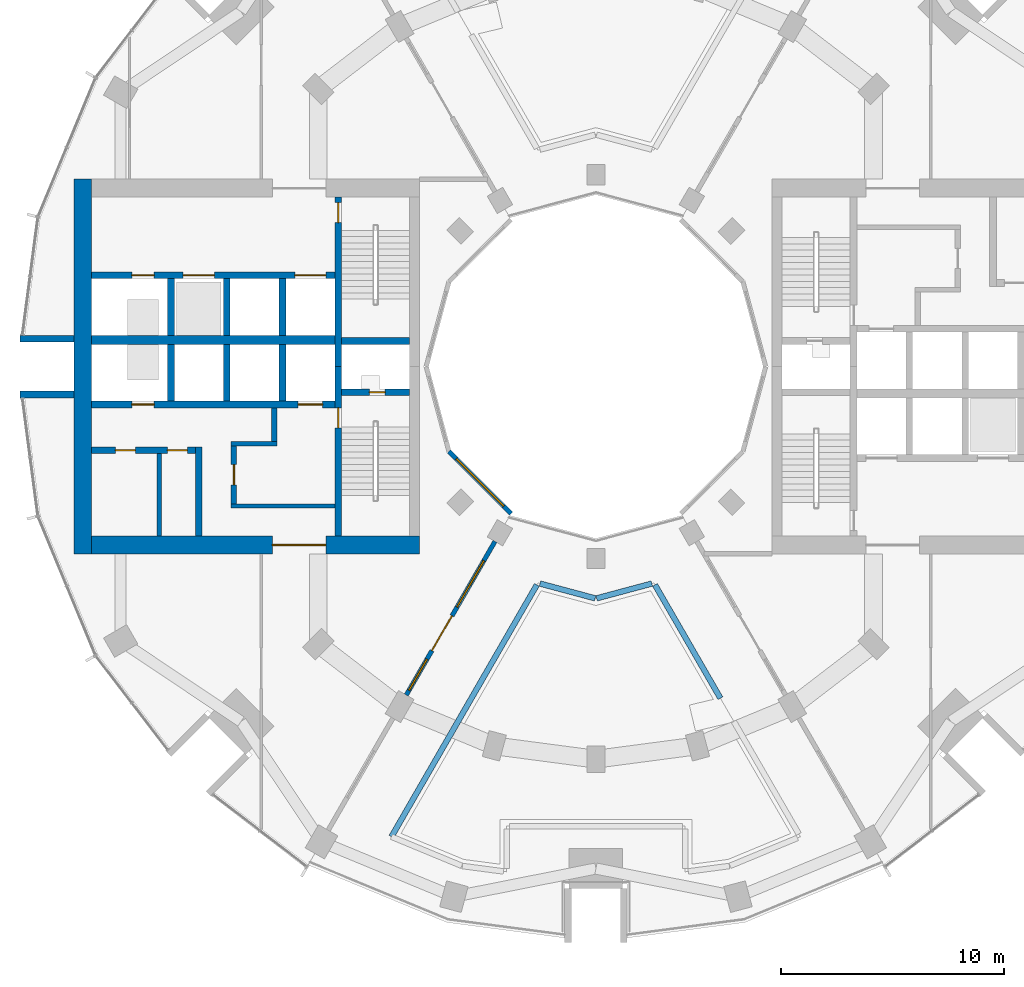
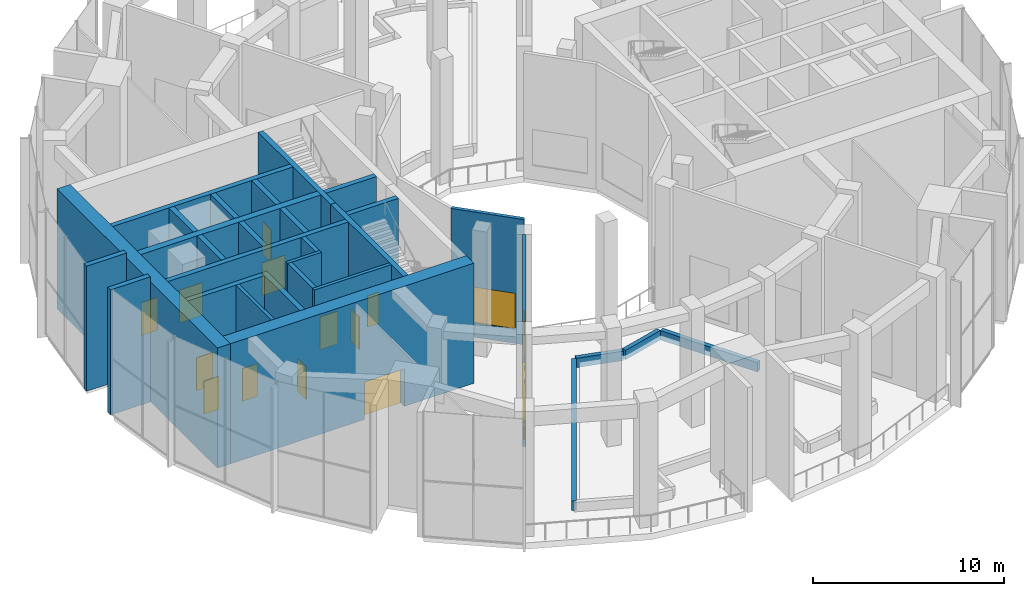
# One storey, part 11 of 18: 30 walls, 13 doors, 3 windows, 16 openings.
"""IFC4 building model written with IfcOpenShell, lengths in metres."""

from ifc_helpers import new_model, si_unit, direction, frame, frame_2d, origin, place, context, subcontext, project, spatial, rectangle, extrude, material, layer, layer_set, type_object, element, fill, save


model = new_model("IFC4")

# Units and contexts
model_context = context("Model", 3, precision=1e-05, world=origin(), true_north=direction((0.0, 1.0)))
body_context = subcontext(model_context, "Body", "Model", "MODEL_VIEW")
ifc_project = project(units=[si_unit("LENGTHUNIT", "METRE"), si_unit("AREAUNIT", "SQUARE_METRE"), si_unit("VOLUMEUNIT", "CUBIC_METRE"), si_unit("PLANEANGLEUNIT", "RADIAN"), si_unit("MASSUNIT", "GRAM", prefix="KILO")], contexts=[model_context])

# Site, building, storey
site_placement = place(None, origin())
site = spatial("IfcSite", under=ifc_project, at=site_placement, CompositionType="ELEMENT")
building_placement = place(site_placement, origin())
building = spatial("IfcBuilding", under=site, at=building_placement, Name="Torre Brocal", CompositionType="ELEMENT")
storey_placement = place(building_placement, frame((0.0, 0.0, 74.39990234375)))
storey = spatial("IfcBuildingStorey", under=building, at=storey_placement, Name="L17", CompositionType="ELEMENT", Elevation=74.39990234375)

# Walls
ifc_material_1 = material(Name="Masonry block", Category="masonry")
ifc_layer_1 = layer(ifc_material_1, 0.199951171875)
ifc_layer_set_1 = layer_set([ifc_layer_1], Name="Masonry block")
wall_type_1 = type_object("IfcWallType", Name="CORE PARTITION 200", PredefinedType="PARTITIONING", material=ifc_layer_set_1)
wall_1_placement = place(storey_placement, frame((60.422607421875, 71.10009765625, 0.0), z_axis=(0.0, 0.0, 1.0), x_axis=(0.0, -1.0, 0.0)))
element("IfcWall", 1, at=wall_1_placement, inside=storey, type_object=wall_type_1, Name="Wall CP200", PredefinedType="PARTITIONING", context=body_context, shape_type="SweptSolid", body=[
    extrude(rectangle(XDim=3.7001953125, YDim=0.199951171875, at=frame_2d((1.85009765625, 0.0))), origin(), (0.0, 0.0, 1.0), 7.68017578125),
])
ifc_material_2 = material(Name="Concrete C80", Category="concrete")
ifc_layer_2 = layer(ifc_material_2, 0.199951171875)
ifc_layer_set_2 = layer_set([ifc_layer_2], Name="Concrete C80")
wall_type_2 = type_object("IfcWallType", Name="CORE WALL 200 C80", PredefinedType="SHEAR", material=ifc_layer_set_2)
wall_2_placement = place(storey_placement, frame((68.300048828125, 68.75, 0.0), z_axis=(0.0, 0.0, 1.0), x_axis=(-1.0, 0.0, 0.0)))
element("IfcWall", 2, at=wall_2_placement, inside=storey, type_object=wall_type_2, Name="Wall CW200-80", PredefinedType="SHEAR", context=body_context, shape_type="SweptSolid", body=[
    extrude(rectangle(XDim=4.650146484375, YDim=0.199951171875, at=frame_2d((2.3251953125, 0.0))), origin(), (0.0, 0.0, 1.0), 7.68017578125),
])
wall_3_placement = place(storey_placement, frame((65.699951171875, 71.550048828125, 0.0), z_axis=(0.0, 0.0, 1.0), x_axis=(-1.0, 0.0, 0.0)))
element("IfcWall", 3, at=wall_3_placement, inside=storey, type_object=wall_type_2, Name="Wall CW200-80", PredefinedType="SHEAR", context=body_context, shape_type="SweptSolid", body=[
    extrude(rectangle(XDim=2.050048828125, YDim=0.199951171875, at=frame_2d((1.02490234375, 0.0))), origin(), (0.0, 0.0, 1.0), 7.68017578125),
])

# Wall, opening, door
ifc_material_3 = material(Name="Concrete C80", Category="concrete")
ifc_layer_3 = layer(ifc_material_3, 0.25)
ifc_layer_set_3 = layer_set([ifc_layer_3], Name="Concrete C80")
wall_type_3 = type_object("IfcWallType", Name="CORE WALL 250 C80", PredefinedType="SHEAR", material=ifc_layer_set_3)
wall_4_placement = place(storey_placement, frame((63.77490234375, 71.449951171875, 0.0), z_axis=(0.0, 0.0, 1.0), x_axis=(0.0, -1.0, 0.0)))
wall_4 = element("IfcWall", 4, at=wall_4_placement, inside=storey, type_object=wall_type_3, Name="Wall CW250-80", PredefinedType="SHEAR", context=body_context, shape_type="SweptSolid", body=[
    extrude(rectangle(XDim=2.599853515625, YDim=0.25, at=frame_2d((1.2998046875, 0.0))), origin(), (0.0, 0.0, 1.0), 7.68017578125),
])
opening_1_placement = place(wall_4_placement, frame((0.85009765625, 0.0, 0.0)))
opening_1 = element("IfcOpeningElement", 5, at=opening_1_placement, cuts=wall_4, Name="Opening W-D15", PredefinedType="OPENING", context=body_context, shape_type="SweptSolid", body=[
    extrude(rectangle(XDim=0.89990234375, YDim=2.10009765625, at=frame_2d((0.449951171875, 1.050048828125))), frame((0.0, 0.135009765625, 0.0), z_axis=(0.0, -1.0, 0.0), x_axis=(1.0, 0.0, 0.0)), (0.0, 0.0, 1.0), 0.27001953125),
])
ifc_material_4 = material(Name="Steel A653", Category="steel")
door_type_1 = type_object("IfcDoorType", Name="LOBBY DOOR FD120 900X2100", OperationType="SINGLE_SWING_RIGHT", PredefinedType="DOOR", material=ifc_material_4)
door_1_placement = place(opening_1_placement, origin())
door_1 = element("IfcDoor", 6, at=door_1_placement, inside=storey, type_object=door_type_1, Name="Door W-D15", OperationType="SINGLE_SWING_LEFT", OverallHeight=2.10009765625, OverallWidth=0.89990234375, PredefinedType="DOOR", context=body_context, shape_type="SweptSolid", body=[
    extrude(rectangle(XDim=0.89990234375, YDim=2.10009765625, at=frame_2d((0.449951171875, 1.050048828125))), frame((0.0, 0.02490234375, 0.0), z_axis=(0.0, -1.0, 0.0), x_axis=(1.0, 0.0, 0.0)), (0.0, 0.0, 1.0), 0.050048828125),
])
fill(opening_1, door_1)

# Wall
wall_5_placement = place(storey_placement, frame((65.574951171875, 73.14990234375, 0.0), z_axis=(0.0, 0.0, 1.0), x_axis=(0.0, -1.0, 0.0)))
element("IfcWall", 7, at=wall_5_placement, inside=storey, type_object=wall_type_3, Name="Wall CW250-80", PredefinedType="SHEAR", context=body_context, shape_type="SweptSolid", body=[
    extrude(rectangle(XDim=1.5, YDim=0.25, at=frame_2d((0.75, 0.0))), origin(), (0.0, 0.0, 1.0), 7.68017578125),
])

# Wall, opening, door
ifc_material_5 = material(Name="Concrete C80", Category="concrete")
ifc_layer_4 = layer(ifc_material_5, 0.300048828125)
ifc_layer_set_4 = layer_set([ifc_layer_4], Name="Concrete C80")
wall_type_4 = type_object("IfcWallType", Name="CORE WALL 300 C80", PredefinedType="SHEAR", material=ifc_layer_set_4)
wall_6_placement = place(storey_placement, frame((68.449951171875, 75.0, 0.0), z_axis=(0.0, 0.0, 1.0), x_axis=(0.0, -1.0, 0.0)))
wall_6 = element("IfcWall", 8, at=wall_6_placement, inside=storey, type_object=wall_type_4, Name="Wall CW300-80", PredefinedType="SHEAR", context=body_context, shape_type="SweptSolid", body=[
    extrude(rectangle(XDim=7.60009765625, YDim=0.300048828125, at=frame_2d((3.800048828125, 0.0))), origin(), (0.0, 0.0, 1.0), 7.68017578125),
])
opening_2_placement = place(wall_6_placement, frame((1.85009765625, 0.0, 0.0)))
opening_2 = element("IfcOpeningElement", 9, at=opening_2_placement, cuts=wall_6, Name="Opening W-D02", PredefinedType="OPENING", context=body_context, shape_type="SweptSolid", body=[
    extrude(rectangle(XDim=0.89990234375, YDim=2.10009765625, at=frame_2d((0.449951171875, 1.050048828125))), frame((0.0, 0.159912109375, 0.0), z_axis=(0.0, -1.0, 0.0), x_axis=(1.0, 0.0, 0.0)), (0.0, 0.0, 1.0), 0.320068359375),
])
ifc_material_6 = material(Name="Steel A653", Category="steel")
door_type_2 = type_object("IfcDoorType", Name="STAIR DOOR FD120 900X2100", OperationType="SINGLE_SWING_RIGHT", PredefinedType="DOOR", material=ifc_material_6)
door_2_placement = place(opening_2_placement, origin())
door_2 = element("IfcDoor", 10, at=door_2_placement, inside=storey, type_object=door_type_2, Name="Door W-D02", OperationType="SINGLE_SWING_LEFT", OverallHeight=2.10009765625, OverallWidth=0.89990234375, PredefinedType="DOOR", context=body_context, shape_type="SweptSolid", body=[
    extrude(rectangle(XDim=0.89990234375, YDim=2.10009765625, at=frame_2d((0.449951171875, 1.050048828125))), frame((0.0, 0.02490234375, 0.0), z_axis=(0.0, -1.0, 0.0), x_axis=(1.0, 0.0, 0.0)), (0.0, 0.0, 1.0), 0.050048828125),
])
fill(opening_2, door_2)

wall_7_placement = place(storey_placement, frame((68.449951171875, 82.60009765625, 0.0), z_axis=(0.0, 0.0, 1.0), x_axis=(0.0, -1.0, 0.0)))
wall_7 = element("IfcWall", 11, at=wall_7_placement, inside=storey, type_object=wall_type_4, Name="Wall CW300-80", PredefinedType="SHEAR", context=body_context, shape_type="SweptSolid", body=[
    extrude(rectangle(XDim=7.60009765625, YDim=0.300048828125, at=frame_2d((3.800048828125, 0.0))), origin(), (0.0, 0.0, 1.0), 7.68017578125),
])
opening_3_placement = place(wall_7_placement, frame((0.25, 0.0, 0.0)))
opening_3 = element("IfcOpeningElement", 12, at=opening_3_placement, cuts=wall_7, Name="Opening W-D03", PredefinedType="OPENING", context=body_context, shape_type="SweptSolid", body=[
    extrude(rectangle(XDim=0.89990234375, YDim=2.10009765625, at=frame_2d((0.449951171875, 1.050048828125))), frame((0.0, 0.159912109375, 0.0), z_axis=(0.0, -1.0, 0.0), x_axis=(1.0, 0.0, 0.0)), (0.0, 0.0, 1.0), 0.320068359375),
])
door_3_placement = place(opening_3_placement, origin())
door_3 = element("IfcDoor", 13, at=door_3_placement, inside=storey, type_object=door_type_2, Name="Door W-D03", OperationType="SINGLE_SWING_LEFT", OverallHeight=2.10009765625, OverallWidth=0.89990234375, PredefinedType="DOOR", context=body_context, shape_type="SweptSolid", body=[
    extrude(rectangle(XDim=0.89990234375, YDim=2.10009765625, at=frame_2d((0.449951171875, 1.050048828125))), frame((0.0, 0.02490234375, 0.0), z_axis=(0.0, -1.0, 0.0), x_axis=(1.0, 0.0, 0.0)), (0.0, 0.0, 1.0), 0.050048828125),
])
fill(opening_3, door_3)

wall_8_placement = place(storey_placement, frame((71.64990234375, 73.85009765625, 0.0), z_axis=(0.0, 0.0, 1.0), x_axis=(-1.0, 0.0, 0.0)))
wall_8 = element("IfcWall", 14, at=wall_8_placement, inside=storey, type_object=wall_type_4, Name="Wall CW300-80", PredefinedType="SHEAR", context=body_context, shape_type="SweptSolid", body=[
    extrude(rectangle(XDim=3.0498046875, YDim=0.300048828125, at=frame_2d((1.52490234375, 0.0))), origin(), (0.0, 0.0, 1.0), 7.68017578125),
])
opening_4_placement = place(wall_8_placement, frame((1.10009765625, 0.0, 0.0)))
opening_4 = element("IfcOpeningElement", 15, at=opening_4_placement, cuts=wall_8, Name="Opening W-D01", PredefinedType="OPENING", context=body_context, shape_type="SweptSolid", body=[
    extrude(rectangle(XDim=0.699951171875, YDim=2.0, at=frame_2d((0.35009765625, 1.0))), frame((0.0, 0.159912109375, 0.0), z_axis=(0.0, -1.0, 0.0), x_axis=(1.0, 0.0, 0.0)), (0.0, 0.0, 1.0), 0.320068359375),
])
ifc_material_7 = material(Name="Steel A653", Category="steel")
door_type_3 = type_object("IfcDoorType", Name="RISER DOOR FD120 700X2000", OperationType="SINGLE_SWING_LEFT", PredefinedType="DOOR", material=ifc_material_7)
door_4_placement = place(opening_4_placement, frame((0.699951171875, 0.0, 0.0), z_axis=(0.0, 0.0, 1.0), x_axis=(-1.0, 0.0, 0.0)))
door_4 = element("IfcDoor", 16, at=door_4_placement, inside=storey, type_object=door_type_3, Name="Door W-D01", OperationType="SINGLE_SWING_RIGHT", OverallHeight=2.0, OverallWidth=0.699951171875, PredefinedType="DOOR", context=body_context, shape_type="SweptSolid", body=[
    extrude(rectangle(XDim=0.699951171875, YDim=2.0, at=frame_2d((0.35009765625, 1.0))), frame((0.0, 0.02490234375, 0.0), z_axis=(0.0, -1.0, 0.0), x_axis=(1.0, 0.0, 0.0)), (0.0, 0.0, 1.0), 0.050048828125),
])
fill(opening_4, door_4)

# Wall
wall_9_placement = place(storey_placement, frame((71.64990234375, 76.14990234375, 0.0), z_axis=(0.0, 0.0, 1.0), x_axis=(-1.0, 0.0, 0.0)))
element("IfcWall", 17, at=wall_9_placement, inside=storey, type_object=wall_type_4, Name="Wall CW300-80", PredefinedType="SHEAR", context=body_context, shape_type="SweptSolid", body=[
    extrude(rectangle(XDim=3.0498046875, YDim=0.300048828125, at=frame_2d((1.52490234375, 0.0))), origin(), (0.0, 0.0, 1.0), 7.68017578125),
])

# Wall, openings, doors
wall_10_placement = place(storey_placement, frame((68.300048828125, 73.300048828125, 0.0), z_axis=(0.0, 0.0, 1.0), x_axis=(-1.0, 0.0, 0.0)))
wall_10 = element("IfcWall", 18, at=wall_10_placement, inside=storey, type_object=wall_type_4, Name="Wall CW300-80", PredefinedType="SHEAR", context=body_context, shape_type="SweptSolid", body=[
    extrude(rectangle(XDim=10.900146484375, YDim=0.300048828125, at=frame_2d((5.4501953125, 0.0))), origin(), (0.0, 0.0, 1.0), 7.68017578125),
])
opening_5_placement = place(wall_10_placement, frame((0.550048828125, 0.0, 0.0)))
opening_5 = element("IfcOpeningElement", 19, at=opening_5_placement, cuts=wall_10, Name="Opening LD", PredefinedType="OPENING", context=body_context, shape_type="SweptSolid", body=[
    extrude(rectangle(XDim=1.10009765625, YDim=2.10009765625, at=frame_2d((0.550048828125, 1.050048828125))), frame((0.0, 0.159912109375, 0.0), z_axis=(0.0, -1.0, 0.0), x_axis=(1.0, 0.0, 0.0)), (0.0, 0.0, 1.0), 0.320068359375),
])
opening_6_placement = place(wall_10_placement, frame((8.10009765625, 0.0, 0.0)))
opening_6 = element("IfcOpeningElement", 20, at=opening_6_placement, cuts=wall_10, Name="Opening LD10", PredefinedType="OPENING", context=body_context, shape_type="SweptSolid", body=[
    extrude(rectangle(XDim=1.0, YDim=2.10009765625, at=frame_2d((0.5, 1.050048828125))), frame((0.0, 0.159912109375, 0.0), z_axis=(0.0, -1.0, 0.0), x_axis=(1.0, 0.0, 0.0)), (0.0, 0.0, 1.0), 0.320068359375),
])
ifc_material_8 = material(Name="Stainless steel AISI 316", Category="steel")
door_type_4 = type_object("IfcDoorType", Name="LIFT LANDING DOOR 1000X2100", OperationType="DOUBLE_DOOR_SLIDING", PredefinedType="DOOR", material=ifc_material_8)
door_5_placement = place(opening_6_placement, origin())
door_5 = element("IfcDoor", 21, at=door_5_placement, inside=storey, type_object=door_type_4, Name="Door LD10", OperationType="DOUBLE_DOOR_SLIDING", OverallHeight=2.10009765625, OverallWidth=1.0, PredefinedType="DOOR", context=body_context, shape_type="SweptSolid", body=[
    extrude(rectangle(XDim=1.0, YDim=2.10009765625, at=frame_2d((0.5, 1.050048828125))), frame((0.0, 0.02490234375, 0.0), z_axis=(0.0, -1.0, 0.0), x_axis=(1.0, 0.0, 0.0)), (0.0, 0.0, 1.0), 0.050048828125),
])
fill(opening_6, door_5)
ifc_material_9 = material(Name="Stainless steel AISI 316", Category="steel")
door_type_5 = type_object("IfcDoorType", Name="LIFT LANDING DOOR 1100X2100", OperationType="DOUBLE_DOOR_SLIDING", PredefinedType="DOOR", material=ifc_material_9)
door_6_placement = place(opening_5_placement, origin())
door_6 = element("IfcDoor", 22, at=door_6_placement, inside=storey, type_object=door_type_5, Name="Door LD", OperationType="DOUBLE_DOOR_SLIDING", OverallHeight=2.10009765625, OverallWidth=1.10009765625, PredefinedType="DOOR", context=body_context, shape_type="SweptSolid", body=[
    extrude(rectangle(XDim=1.10009765625, YDim=2.10009765625, at=frame_2d((0.550048828125, 1.050048828125))), frame((0.0, 0.02490234375, 0.0), z_axis=(0.0, -1.0, 0.0), x_axis=(1.0, 0.0, 0.0)), (0.0, 0.0, 1.0), 0.050048828125),
])
fill(opening_5, door_6)

wall_11_placement = place(storey_placement, frame((68.300048828125, 79.10009765625, 0.0), z_axis=(0.0, 0.0, 1.0), x_axis=(-1.0, 0.0, 0.0)))
wall_11 = element("IfcWall", 23, at=wall_11_placement, inside=storey, type_object=wall_type_4, Name="Wall CW300-80", PredefinedType="SHEAR", context=body_context, shape_type="SweptSolid", body=[
    extrude(rectangle(XDim=10.900146484375, YDim=0.300048828125, at=frame_2d((5.4501953125, 0.0))), origin(), (0.0, 0.0, 1.0), 7.68017578125),
])
opening_7_placement = place(wall_11_placement, frame((0.39990234375, 0.0, 0.0)))
opening_7 = element("IfcOpeningElement", 24, at=opening_7_placement, cuts=wall_11, Name="Opening LD14", PredefinedType="OPENING", context=body_context, shape_type="SweptSolid", body=[
    extrude(rectangle(XDim=1.39990234375, YDim=2.10009765625, at=frame_2d((0.699951171875, 1.050048828125))), frame((0.0, 0.159912109375, 0.0), z_axis=(0.0, -1.0, 0.0), x_axis=(1.0, 0.0, 0.0)), (0.0, 0.0, 1.0), 0.320068359375),
])
opening_8_placement = place(wall_11_placement, frame((5.39990234375, 0.0, 0.0)))
opening_8 = element("IfcOpeningElement", 25, at=opening_8_placement, cuts=wall_11, Name="Opening LD14", PredefinedType="OPENING", context=body_context, shape_type="SweptSolid", body=[
    extrude(rectangle(XDim=1.39990234375, YDim=2.10009765625, at=frame_2d((0.699951171875, 1.050048828125))), frame((0.0, 0.159912109375, 0.0), z_axis=(0.0, -1.0, 0.0), x_axis=(1.0, 0.0, 0.0)), (0.0, 0.0, 1.0), 0.320068359375),
])
opening_9_placement = place(wall_11_placement, frame((8.10009765625, 0.0, 0.0)))
opening_9 = element("IfcOpeningElement", 26, at=opening_9_placement, cuts=wall_11, Name="Opening LD10", PredefinedType="OPENING", context=body_context, shape_type="SweptSolid", body=[
    extrude(rectangle(XDim=1.0, YDim=2.10009765625, at=frame_2d((0.5, 1.050048828125))), frame((0.0, 0.159912109375, 0.0), z_axis=(0.0, -1.0, 0.0), x_axis=(1.0, 0.0, 0.0)), (0.0, 0.0, 1.0), 0.320068359375),
])
door_7_placement = place(opening_9_placement, origin())
door_7 = element("IfcDoor", 27, at=door_7_placement, inside=storey, type_object=door_type_4, Name="Door LD10", OperationType="DOUBLE_DOOR_SLIDING", OverallHeight=2.10009765625, OverallWidth=1.0, PredefinedType="DOOR", context=body_context, shape_type="SweptSolid", body=[
    extrude(rectangle(XDim=1.0, YDim=2.10009765625, at=frame_2d((0.5, 1.050048828125))), frame((0.0, 0.02490234375, 0.0), z_axis=(0.0, -1.0, 0.0), x_axis=(1.0, 0.0, 0.0)), (0.0, 0.0, 1.0), 0.050048828125),
])
fill(opening_9, door_7)
ifc_material_10 = material(Name="Stainless steel AISI 316", Category="steel")
door_type_6 = type_object("IfcDoorType", Name="LIFT LANDING DOOR 1400X2100", OperationType="DOUBLE_DOOR_SLIDING", PredefinedType="DOOR", material=ifc_material_10)
door_8_placement = place(opening_7_placement, origin())
door_8 = element("IfcDoor", 28, at=door_8_placement, inside=storey, type_object=door_type_6, Name="Door LD14", OperationType="DOUBLE_DOOR_SLIDING", OverallHeight=2.10009765625, OverallWidth=1.39990234375, PredefinedType="DOOR", context=body_context, shape_type="SweptSolid", body=[
    extrude(rectangle(XDim=1.39990234375, YDim=2.10009765625, at=frame_2d((0.699951171875, 1.050048828125))), frame((0.0, 0.02490234375, 0.0), z_axis=(0.0, -1.0, 0.0), x_axis=(1.0, 0.0, 0.0)), (0.0, 0.0, 1.0), 0.050048828125),
])
fill(opening_7, door_8)
door_9_placement = place(opening_8_placement, origin())
door_9 = element("IfcDoor", 29, at=door_9_placement, inside=storey, type_object=door_type_6, Name="Door LD14", OperationType="DOUBLE_DOOR_SLIDING", OverallHeight=2.10009765625, OverallWidth=1.39990234375, PredefinedType="DOOR", context=body_context, shape_type="SweptSolid", body=[
    extrude(rectangle(XDim=1.39990234375, YDim=2.10009765625, at=frame_2d((0.699951171875, 1.050048828125))), frame((0.0, 0.02490234375, 0.0), z_axis=(0.0, -1.0, 0.0), x_axis=(1.0, 0.0, 0.0)), (0.0, 0.0, 1.0), 0.050048828125),
])
fill(opening_8, door_9)

# Walls
for number, where, z_axis, x_axis, name in (
    (30, (65.949951171875, 76.0, 0.0), (0.0, 0.0, 1.0), (0.0, -1.0, 0.0), "Wall CW300-80"),
    (31, (63.449951171875, 76.0, 0.0), (0.0, 0.0, 1.0), (0.0, -1.0, 0.0), "Wall CW300-80"),
    (32, (60.949951171875, 76.0, 0.0), (0.0, 0.0, 1.0), (0.0, -1.0, 0.0), "Wall CW300-80"),
    (33, (65.949951171875, 78.949951171875, 0.0), (0.0, 0.0, 1.0), (0.0, -1.0, 0.0), "Wall CW300-80"),
    (34, (63.449951171875, 78.949951171875, 0.0), (0.0, 0.0, 1.0), (0.0, -1.0, 0.0), "Wall CW300-80"),
    (35, (60.949951171875, 78.949951171875, 0.0), (0.0, 0.0, 1.0), (0.0, -1.0, 0.0), "Wall CW300-80"),
):
    element("IfcWall", number, at=place(storey_placement, frame(where, z_axis=z_axis, x_axis=x_axis)), inside=storey, type_object=wall_type_4, Name=name, PredefinedType="SHEAR", context=body_context, shape_type="SweptSolid", body=[
        extrude(rectangle(XDim=2.550048828125, YDim=0.300048828125, at=frame_2d((1.27490234375, 0.0))), origin(), (0.0, 0.0, 1.0), 7.68017578125),
    ])
wall_12_placement = place(storey_placement, frame((62.199951171875, 71.39990234375, 0.0), z_axis=(0.0, 0.0, 1.0), x_axis=(0.0, -1.0, 0.0)))
element("IfcWall", 36, at=wall_12_placement, inside=storey, type_object=wall_type_4, Name="Wall CW300-80", PredefinedType="SHEAR", context=body_context, shape_type="SweptSolid", body=[
    extrude(rectangle(XDim=4.0, YDim=0.300048828125, at=frame_2d((2.0, 0.0))), origin(), (0.0, 0.0, 1.0), 7.68017578125),
])

# Wall, openings, doors
wall_13_placement = place(storey_placement, frame((62.050048828125, 71.25, 0.0), z_axis=(0.0, 0.0, 1.0), x_axis=(-1.0, 0.0, 0.0)))
wall_13 = element("IfcWall", 37, at=wall_13_placement, inside=storey, type_object=wall_type_4, Name="Wall CW300-80", PredefinedType="SHEAR", context=body_context, shape_type="SweptSolid", body=[
    extrude(rectangle(XDim=4.650146484375, YDim=0.300048828125, at=frame_2d((2.3251953125, 0.0))), origin(), (0.0, 0.0, 1.0), 7.68017578125),
])
opening_10_placement = place(wall_13_placement, frame((0.36376953125, 0.0, 0.0)))
opening_10 = element("IfcOpeningElement", 38, at=opening_10_placement, cuts=wall_13, Name="Opening W-D05", PredefinedType="OPENING", context=body_context, shape_type="SweptSolid", body=[
    extrude(rectangle(XDim=0.89990234375, YDim=2.10009765625, at=frame_2d((0.449951171875, 1.050048828125))), frame((0.0, 0.159912109375, 0.0), z_axis=(0.0, -1.0, 0.0), x_axis=(1.0, 0.0, 0.0)), (0.0, 0.0, 1.0), 0.320068359375),
])
opening_11_placement = place(wall_13_placement, frame((2.688720703125, 0.0, 0.0)))
opening_11 = element("IfcOpeningElement", 39, at=opening_11_placement, cuts=wall_13, Name="Opening W-D06", PredefinedType="OPENING", context=body_context, shape_type="SweptSolid", body=[
    extrude(rectangle(XDim=0.89990234375, YDim=2.10009765625, at=frame_2d((0.449951171875, 1.050048828125))), frame((0.0, 0.159912109375, 0.0), z_axis=(0.0, -1.0, 0.0), x_axis=(1.0, 0.0, 0.0)), (0.0, 0.0, 1.0), 0.320068359375),
])
ifc_material_11 = material(Name="Steel A653", Category="steel")
door_type_7 = type_object("IfcDoorType", Name="ROOM DOOR FD30S 900X2100", OperationType="SINGLE_SWING_LEFT", PredefinedType="DOOR", material=ifc_material_11)
door_10_placement = place(opening_10_placement, origin())
door_10 = element("IfcDoor", 40, at=door_10_placement, inside=storey, type_object=door_type_7, Name="Door W-D05", OperationType="SINGLE_SWING_RIGHT", OverallHeight=2.10009765625, OverallWidth=0.89990234375, PredefinedType="DOOR", context=body_context, shape_type="SweptSolid", body=[
    extrude(rectangle(XDim=0.89990234375, YDim=2.10009765625, at=frame_2d((0.449951171875, 1.050048828125))), frame((0.0, 0.02490234375, 0.0), z_axis=(0.0, -1.0, 0.0), x_axis=(1.0, 0.0, 0.0)), (0.0, 0.0, 1.0), 0.050048828125),
])
fill(opening_10, door_10)
door_11_placement = place(opening_11_placement, origin())
door_11 = element("IfcDoor", 41, at=door_11_placement, inside=storey, type_object=door_type_7, Name="Door W-D06", OperationType="SINGLE_SWING_LEFT", OverallHeight=2.10009765625, OverallWidth=0.89990234375, PredefinedType="DOOR", context=body_context, shape_type="SweptSolid", body=[
    extrude(rectangle(XDim=0.89990234375, YDim=2.10009765625, at=frame_2d((0.449951171875, 1.050048828125))), frame((0.0, 0.02490234375, 0.0), z_axis=(0.0, -1.0, 0.0), x_axis=(1.0, 0.0, 0.0)), (0.0, 0.0, 1.0), 0.050048828125),
])
fill(opening_11, door_11)

# Wall
ifc_material_12 = material(Name="Concrete C80", Category="concrete")
ifc_layer_5 = layer(ifc_material_12, 0.39990234375)
ifc_layer_set_5 = layer_set([ifc_layer_5], Name="Concrete C80")
wall_type_5 = type_object("IfcWallType", Name="CORE WALL 400 C80", PredefinedType="SHEAR", material=ifc_layer_set_5)
wall_14_placement = place(storey_placement, frame((68.300048828125, 76.199951171875, 0.0), z_axis=(0.0, 0.0, 1.0), x_axis=(-1.0, 0.0, 0.0)))
element("IfcWall", 42, at=wall_14_placement, inside=storey, type_object=wall_type_5, Name="Wall CW400-80", PredefinedType="SHEAR", context=body_context, shape_type="SweptSolid", body=[
    extrude(rectangle(XDim=10.900146484375, YDim=0.39990234375, at=frame_2d((5.4501953125, 0.0))), origin(), (0.0, 0.0, 1.0), 7.68017578125),
])

# Wall, opening, door
ifc_material_13 = material(Name="Concrete C80", Category="concrete")
ifc_layer_6 = layer(ifc_material_13, 0.800048828125)
ifc_layer_set_6 = layer_set([ifc_layer_6], Name="Concrete C80")
wall_type_6 = type_object("IfcWallType", Name="CORE WALL 800 C80", PredefinedType="SHEAR", material=ifc_layer_set_6)
wall_15_placement = place(storey_placement, frame((72.10009765625, 67.0, 0.0), z_axis=(0.0, 0.0, 1.0), x_axis=(-1.0, 0.0, 0.0)))
wall_15 = element("IfcWall", 43, at=wall_15_placement, inside=storey, type_object=wall_type_6, Name="Wall CW800-80", PredefinedType="SHEAR", context=body_context, shape_type="SweptSolid", body=[
    extrude(rectangle(XDim=14.7001953125, YDim=0.800048828125, at=frame_2d((7.35009765625, 0.0))), origin(), (0.0, 0.0, 1.0), 7.68017578125),
])
opening_12_placement = place(wall_15_placement, frame((4.199951171875, 0.0, 0.0)))
opening_12 = element("IfcOpeningElement", 44, at=opening_12_placement, cuts=wall_15, Name="Opening W-D24", PredefinedType="OPENING", context=body_context, shape_type="SweptSolid", body=[
    extrude(rectangle(XDim=2.39990234375, YDim=2.39990234375, at=frame_2d((1.199951171875, 1.199951171875))), frame((0.0, 0.409912109375, 0.0), z_axis=(0.0, -1.0, 0.0), x_axis=(1.0, 0.0, 0.0)), (0.0, 0.0, 1.0), 0.820068359375),
])
ifc_material_14 = material(Name="Steel A653", Category="steel")
door_type_8 = type_object("IfcDoorType", Name="DOUBLE FIRE DOOR FD90 2400X2400", OperationType="DOUBLE_DOOR_SINGLE_SWING", PredefinedType="DOOR", material=ifc_material_14)
door_12_placement = place(opening_12_placement, origin())
door_12 = element("IfcDoor", 45, at=door_12_placement, inside=storey, type_object=door_type_8, Name="Door W-D24", OperationType="DOUBLE_DOOR_SINGLE_SWING", OverallHeight=2.39990234375, OverallWidth=2.39990234375, PredefinedType="DOOR", context=body_context, shape_type="SweptSolid", body=[
    extrude(rectangle(XDim=2.39990234375, YDim=2.39990234375, at=frame_2d((1.199951171875, 1.199951171875))), frame((0.0, 0.02490234375, 0.0), z_axis=(0.0, -1.0, 0.0), x_axis=(1.0, 0.0, 0.0)), (0.0, 0.0, 1.0), 0.050048828125),
])
fill(opening_12, door_12)

# Walls
wall_16_placement = place(storey_placement, frame((57.0, 83.39990234375, 0.0), z_axis=(0.0, 0.0, 1.0), x_axis=(0.0, -1.0, 0.0)))
element("IfcWall", 46, at=wall_16_placement, inside=storey, type_object=wall_type_6, Name="Wall CW800-80", PredefinedType="SHEAR", context=body_context, shape_type="SweptSolid", body=[
    extrude(rectangle(XDim=16.7998046875, YDim=0.800048828125, at=frame_2d((8.39990234375, 0.0))), origin(), (0.0, 0.0, 1.0), 7.68017578125),
])
ifc_material_15 = material(Name="Concrete C80", Category="concrete")
ifc_layer_7 = layer(ifc_material_15, 0.300048828125)
ifc_layer_set_7 = layer_set([ifc_layer_7], Name="Concrete C80")
wall_type_7 = type_object("IfcWallType", Name="NOTCH RETURN WALL 300 C80", PredefinedType="NOTDEFINED", material=ifc_layer_set_7)
for number, where, z_axis, x_axis, name in (
    (47, (56.60009765625, 76.25, 0.0), (0.0, 0.0, 1.0), (-1.0, 0.0, 0.0), "NOTCH RETURN WALL"),
    (48, (56.60009765625, 73.75, 0.0), (0.0, 0.0, 1.0), (-1.0, 0.0, 0.0), "NOTCH RETURN WALL"),
):
    element("IfcWall", number, at=place(storey_placement, frame(where, z_axis=z_axis, x_axis=x_axis)), inside=storey, type_object=wall_type_7, Name=name, PredefinedType="NOTDEFINED", context=body_context, shape_type="SweptSolid", body=[
        extrude(rectangle(XDim=2.415771484375, YDim=0.300048828125, at=frame_2d((1.2080078125, 0.0))), origin(), (0.0, 0.0, 1.0), 8.0),
    ])

# Wall, openings, door, windows
ifc_material_16 = material(Name="Concrete C40", Category="concrete")
ifc_layer_8 = layer(ifc_material_16, 0.199951171875)
ifc_layer_set_8 = layer_set([ifc_layer_8], Name="Concrete C40")
wall_type_8 = type_object("IfcWallType", Name="PAVILION BOUNDARY WALL 200", PredefinedType="NOTDEFINED", material=ifc_layer_set_8)
wall_17_placement = place(storey_placement, frame((75.47509765625, 67.162353515625, 0.0), z_axis=(0.0, 0.0, 1.0), x_axis=(-0.50001663867, -0.86601579723, 0.0)))
wall_17 = element("IfcWall", 49, at=wall_17_placement, inside=storey, type_object=wall_type_8, Name="PAVILION BOUNDARY WALL", PredefinedType="NOTDEFINED", context=body_context, shape_type="SweptSolid", body=[
    extrude(rectangle(XDim=7.949951171875, YDim=0.199951171875, at=frame_2d((3.97509765625, 0.0))), origin(), (0.0, 0.0, 1.0), 8.0),
])
opening_13_placement = place(wall_17_placement, frame((1.0, 0.0, 0.300048828125)))
opening_13 = element("IfcOpeningElement", 50, at=opening_13_placement, cuts=wall_17, Name="Opening W4", PredefinedType="OPENING", context=body_context, shape_type="SweptSolid", body=[
    extrude(rectangle(XDim=2.39990234375, YDim=3.60009765625, at=frame_2d((1.199951171875, 1.800048828125))), frame((0.0, 0.10986328125, 0.0), z_axis=(0.0, -1.0, 0.0), x_axis=(1.0, 0.0, 0.0)), (0.0, 0.0, 1.0), 0.219970703125),
])
opening_14_placement = place(wall_17_placement, frame((3.85009765625, 0.0, 0.0)))
opening_14 = element("IfcOpeningElement", 51, at=opening_14_placement, cuts=wall_17, Name="Opening L17-E03", PredefinedType="OPENING", context=body_context, shape_type="SweptSolid", body=[
    extrude(rectangle(XDim=1.800048828125, YDim=2.39990234375, at=frame_2d((0.89990234375, 1.199951171875))), frame((0.0, 0.10986328125, 0.0), z_axis=(0.0, -1.0, 0.0), x_axis=(1.0, 0.0, 0.0)), (0.0, 0.0, 1.0), 0.219970703125),
])
opening_15_placement = place(wall_17_placement, frame((6.10009765625, 0.0, 0.300048828125)))
opening_15 = element("IfcOpeningElement", 52, at=opening_15_placement, cuts=wall_17, Name="Opening W4-1600", PredefinedType="OPENING", context=body_context, shape_type="SweptSolid", body=[
    extrude(rectangle(XDim=1.60009765625, YDim=3.60009765625, at=frame_2d((0.800048828125, 1.800048828125))), frame((0.0, 0.10986328125, 0.0), z_axis=(0.0, -1.0, 0.0), x_axis=(1.0, 0.0, 0.0)), (0.0, 0.0, 1.0), 0.219970703125),
])
ifc_material_17 = material(Name="Aluminium and glass", Category="aluminium")
door_type_9 = type_object("IfcDoorType", Name="PAVILION DOOR 1800X2400", OperationType="DOUBLE_DOOR_SINGLE_SWING", PredefinedType="DOOR", material=ifc_material_17)
door_13_placement = place(opening_14_placement, origin())
door_13 = element("IfcDoor", 53, at=door_13_placement, inside=storey, type_object=door_type_9, Name="DOOR L17-E03", OperationType="DOUBLE_DOOR_SINGLE_SWING", OverallHeight=2.39990234375, OverallWidth=1.800048828125, PredefinedType="DOOR", context=body_context, shape_type="SweptSolid", body=[
    extrude(rectangle(XDim=1.800048828125, YDim=2.39990234375, at=frame_2d((0.89990234375, 1.199951171875))), frame((0.0, 0.02490234375, 0.0), z_axis=(0.0, -1.0, 0.0), x_axis=(1.0, 0.0, 0.0)), (0.0, 0.0, 1.0), 0.050048828125),
])
fill(opening_14, door_13)
ifc_material_18 = material(Name="Aluminium and glass", Category="aluminium")
window_type_1 = type_object("IfcWindowType", Name="PAVILION WINDOW 1600X3600", PartitioningType="SINGLE_PANEL", PredefinedType="WINDOW", material=ifc_material_18)
window_1_placement = place(opening_15_placement, origin())
window_1 = element("IfcWindow", 54, at=window_1_placement, inside=storey, type_object=window_type_1, Name="PAVILION WINDOW 1600X3600", OverallHeight=3.60009765625, OverallWidth=1.60009765625, PartitioningType="SINGLE_PANEL", PredefinedType="WINDOW", context=body_context, shape_type="SweptSolid", body=[
    extrude(rectangle(XDim=1.60009765625, YDim=3.60009765625, at=frame_2d((0.800048828125, 1.800048828125))), frame((0.0, 0.030029296875, 0.0), z_axis=(0.0, -1.0, 0.0), x_axis=(1.0, 0.0, 0.0)), (0.0, 0.0, 1.0), 0.06005859375),
])
fill(opening_15, window_1)
ifc_material_19 = material(Name="Aluminium and glass", Category="aluminium")
window_type_2 = type_object("IfcWindowType", Name="PAVILION WINDOW 2400X3600", PartitioningType="SINGLE_PANEL", PredefinedType="WINDOW", material=ifc_material_19)
window_2_placement = place(opening_13_placement, origin())
window_2 = element("IfcWindow", 55, at=window_2_placement, inside=storey, type_object=window_type_2, Name="PAVILION WINDOW 2400X3600", OverallHeight=3.60009765625, OverallWidth=2.39990234375, PartitioningType="SINGLE_PANEL", PredefinedType="WINDOW", context=body_context, shape_type="SweptSolid", body=[
    extrude(rectangle(XDim=2.39990234375, YDim=3.60009765625, at=frame_2d((1.199951171875, 1.800048828125))), frame((0.0, 0.030029296875, 0.0), z_axis=(0.0, -1.0, 0.0), x_axis=(1.0, 0.0, 0.0)), (0.0, 0.0, 1.0), 0.06005859375),
])
fill(opening_13, window_2)

# Walls
ifc_material_20 = material(Name="Concrete C35", Category="concrete")
ifc_layer_9 = layer(ifc_material_20, 0.25)
ifc_layer_set_9 = layer_set([ifc_layer_9], Name="Concrete C35")
wall_type_9 = type_object("IfcWallType", Name="PLANTER WALL 250 THICK 600 HIGH 8", PredefinedType="USERDEFINED", material=ifc_layer_set_9)
wall_18_placement = place(storey_placement, frame((85.582275390625, 60.13134765625, 0.0), z_axis=(0.0, 0.0, 1.0), x_axis=(-0.499999689456, 0.866025583077, 0.0)))
element("IfcWall", 56, at=wall_18_placement, inside=storey, type_object=wall_type_9, Name="PLANTER", ObjectType="PLANTER", PredefinedType="USERDEFINED", context=body_context, shape_type="SweptSolid", body=[
    extrude(rectangle(XDim=5.86962890625, YDim=0.25, at=frame_2d((2.934814453125, 0.0))), origin(), (0.0, 0.0, 1.0), 0.60009765625),
])
for number, where, z_axis, x_axis, name in (
    (57, (82.5068359375, 65.27294921875, 0.0), (0.0, 0.0, 1.0), (-0.965917845578, -0.258848827685, 0.0), "PLANTER"),
    (58, (79.967529296875, 64.60986328125, 0.0), (0.0, 0.0, 1.0), (-0.965917845578, 0.258848827685, 0.0), "PLANTER"),
):
    element("IfcWall", number, at=place(storey_placement, frame(where, z_axis=z_axis, x_axis=x_axis)), inside=storey, type_object=wall_type_9, Name=name, ObjectType="PLANTER", PredefinedType="USERDEFINED", context=body_context, shape_type="SweptSolid", body=[
        extrude(rectangle(XDim=2.561767578125, YDim=0.25, at=frame_2d((1.28076171875, 0.0))), origin(), (0.0, 0.0, 1.0), 0.60009765625),
    ])
wall_19_placement = place(storey_placement, frame((77.3525390625, 65.214599609375, 0.0), z_axis=(0.0, 0.0, 1.0), x_axis=(-0.499990498062, -0.866030889661, 0.0)))
element("IfcWall", 59, at=wall_19_placement, inside=storey, type_object=wall_type_9, Name="PLANTER", ObjectType="PLANTER", PredefinedType="USERDEFINED", context=body_context, shape_type="SweptSolid", body=[
    extrude(rectangle(XDim=13.035400390625, YDim=0.25, at=frame_2d((6.517578125, 0.0))), origin(), (0.0, 0.0, 1.0), 0.60009765625),
])

# Wall, opening, window
ifc_material_21 = material(Name="Concrete C40", Category="concrete")
ifc_layer_10 = layer(ifc_material_21, 0.199951171875)
ifc_layer_set_10 = layer_set([ifc_layer_10], Name="Concrete C40")
wall_type_10 = type_object("IfcWallType", Name="WELL FACADE WALL 200", PredefinedType="NOTDEFINED", material=ifc_layer_set_10)
wall_20_placement = place(storey_placement, frame((73.4150390625, 71.1982421875, 0.0), z_axis=(0.0, 0.0, 1.0), x_axis=(0.707106781187, -0.707106781187, 0.0)))
wall_20 = element("IfcWall", 60, at=wall_20_placement, inside=storey, type_object=wall_type_10, Name="WELL FACADE WALL", PredefinedType="NOTDEFINED", context=body_context, shape_type="SweptSolid", body=[
    extrude(rectangle(XDim=3.93603515625, YDim=0.199951171875, at=frame_2d((1.968017578125, 0.0))), origin(), (0.0, 0.0, 1.0), 8.0),
])
opening_16_placement = place(wall_20_placement, frame((0.468017578125, 0.0, 0.89990234375)))
opening_16 = element("IfcOpeningElement", 61, at=opening_16_placement, cuts=wall_20, Name="Opening W1", PredefinedType="OPENING", context=body_context, shape_type="SweptSolid", body=[
    extrude(rectangle(XDim=3.0, YDim=2.300048828125, at=frame_2d((1.5, 1.14990234375))), frame((0.0, 0.10986328125, 0.0), z_axis=(0.0, -1.0, 0.0), x_axis=(1.0, 0.0, 0.0)), (0.0, 0.0, 1.0), 0.219970703125),
])
ifc_material_22 = material(Name="Aluminium and glass", Category="aluminium")
window_type_3 = type_object("IfcWindowType", Name="WELL WINDOW 3000X2300", PartitioningType="SINGLE_PANEL", PredefinedType="WINDOW", material=ifc_material_22)
window_3_placement = place(opening_16_placement, origin())
window_3 = element("IfcWindow", 62, at=window_3_placement, inside=storey, type_object=window_type_3, Name="WELL WINDOW 3000X2300", OverallHeight=2.300048828125, OverallWidth=3.0, PartitioningType="SINGLE_PANEL", PredefinedType="WINDOW", context=body_context, shape_type="SweptSolid", body=[
    extrude(rectangle(XDim=3.0, YDim=2.300048828125, at=frame_2d((1.5, 1.14990234375))), frame((0.0, 0.030029296875, 0.0), z_axis=(0.0, -1.0, 0.0), x_axis=(1.0, 0.0, 0.0)), (0.0, 0.0, 1.0), 0.06005859375),
])
fill(opening_16, window_3)

save(model, "model.ifc")
